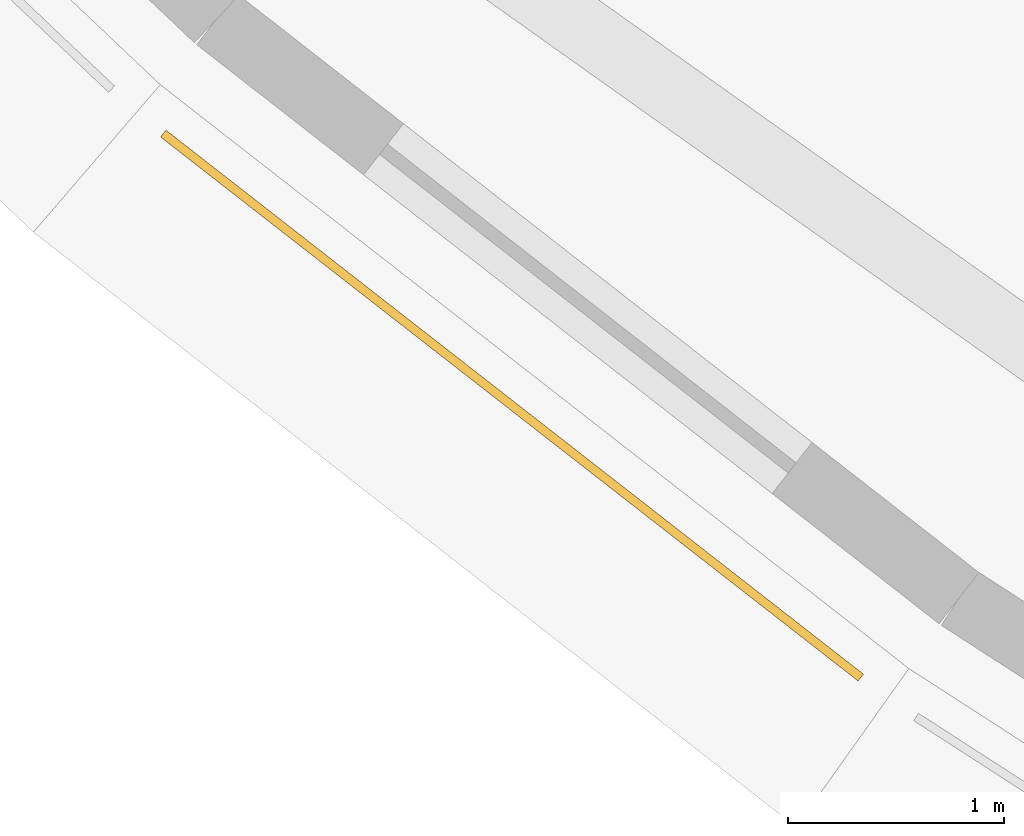
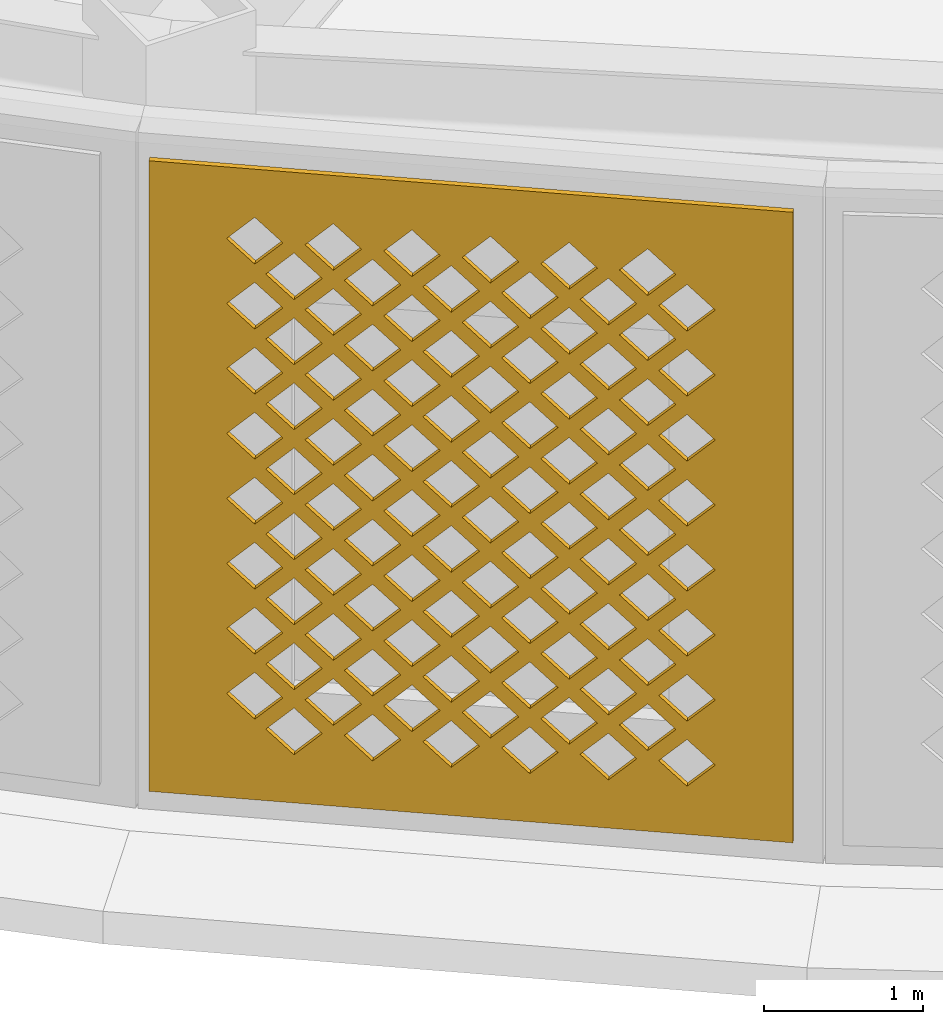
# One storey, part 36 of 63: 1 covering.
"""IFC4 building model written with IfcOpenShell, lengths in metres."""

from ifc_helpers import new_model, si_unit, direction, frame, origin, place, context, subcontext, project, spatial, polyline, outline, extrude, material, layer, layer_set, type_object, element, save


model = new_model("IFC4")

# Units and contexts
model_context = context("Model", 3, precision=1e-05, world=origin(), true_north=direction((0.0, 1.0)))
body_context = subcontext(model_context, "Body", "Model", "MODEL_VIEW")
ifc_project = project(units=[si_unit("LENGTHUNIT", "METRE"), si_unit("AREAUNIT", "SQUARE_METRE"), si_unit("VOLUMEUNIT", "CUBIC_METRE"), si_unit("PLANEANGLEUNIT", "RADIAN"), si_unit("MASSUNIT", "GRAM", prefix="KILO")], contexts=[model_context])

# Site, building, storey
site_placement = place(None, origin())
site = spatial("IfcSite", under=ifc_project, at=site_placement, CompositionType="ELEMENT")
building_placement = place(site_placement, origin())
building = spatial("IfcBuilding", under=site, at=building_placement, Name="Noorbagh Ring Tower", CompositionType="ELEMENT")
storey_placement = place(building_placement, frame((0.0, 0.0, 25.0)))
storey = spatial("IfcBuildingStorey", under=building, at=storey_placement, Name="L04", CompositionType="ELEMENT", Elevation=25.0)

# Covering
ifc_material = material(Name="Red sandstone jali", Category="masonry")
ifc_layer = layer(ifc_material, 0.0400390625)
ifc_layer_set = layer_set([ifc_layer], Name="Red sandstone jali")
covering_type = type_object("IfcCoveringType", Name="STY-JALI", PredefinedType="USERDEFINED", material=ifc_layer_set)
covering_placement = place(storey_placement, frame((-38.712890625, -26.94677734375, 0.449951171875), z_axis=(-0.614979917433, -0.788542770656, 0.0), x_axis=(0.788542770656, -0.614979917433, 0.0)))
element("IfcCovering", 1, at=covering_placement, inside=storey, type_object=covering_type, Name="Jali screen", ObjectType="SCREEN", PredefinedType="USERDEFINED", context=body_context, shape_type="SweptSolid", body=[
    extrude(outline(polyline([(0.0, 0.0), (4.09619140625, 0.0), (4.09619140625, 4.85009765625), (0.0, 4.85009765625), (0.0, 0.0)]), holes=[polyline([(0.7431640625, 0.550048828125), (0.923095703125, 0.3701171875), (1.10302734375, 0.550048828125), (0.923095703125, 0.72998046875), (0.7431640625, 0.550048828125)]), polyline([(1.2431640625, 0.550048828125), (1.423095703125, 0.3701171875), (1.60302734375, 0.550048828125), (1.423095703125, 0.72998046875), (1.2431640625, 0.550048828125)]), polyline([(1.7431640625, 0.550048828125), (1.923095703125, 0.3701171875), (2.10302734375, 0.550048828125), (1.923095703125, 0.72998046875), (1.7431640625, 0.550048828125)]), polyline([(2.2431640625, 0.550048828125), (2.423095703125, 0.3701171875), (2.60302734375, 0.550048828125), (2.423095703125, 0.72998046875), (2.2431640625, 0.550048828125)]), polyline([(2.7431640625, 0.550048828125), (2.923095703125, 0.3701171875), (3.10302734375, 0.550048828125), (2.923095703125, 0.72998046875), (2.7431640625, 0.550048828125)]), polyline([(3.2431640625, 0.550048828125), (3.423095703125, 0.3701171875), (3.60302734375, 0.550048828125), (3.423095703125, 0.72998046875), (3.2431640625, 0.550048828125)]), polyline([(0.4931640625, 0.800048828125), (0.673095703125, 0.6201171875), (0.85302734375, 0.800048828125), (0.673095703125, 0.97998046875), (0.4931640625, 0.800048828125)]), polyline([(0.9931640625, 0.800048828125), (1.173095703125, 0.6201171875), (1.35302734375, 0.800048828125), (1.173095703125, 0.97998046875), (0.9931640625, 0.800048828125)]), polyline([(1.4931640625, 0.800048828125), (1.673095703125, 0.6201171875), (1.85302734375, 0.800048828125), (1.673095703125, 0.97998046875), (1.4931640625, 0.800048828125)]), polyline([(1.9931640625, 0.800048828125), (2.173095703125, 0.6201171875), (2.35302734375, 0.800048828125), (2.173095703125, 0.97998046875), (1.9931640625, 0.800048828125)]), polyline([(2.4931640625, 0.800048828125), (2.673095703125, 0.6201171875), (2.85302734375, 0.800048828125), (2.673095703125, 0.97998046875), (2.4931640625, 0.800048828125)]), polyline([(2.9931640625, 0.800048828125), (3.173095703125, 0.6201171875), (3.35302734375, 0.800048828125), (3.173095703125, 0.97998046875), (2.9931640625, 0.800048828125)]), polyline([(0.7431640625, 1.050048828125), (0.923095703125, 0.8701171875), (1.10302734375, 1.050048828125), (0.923095703125, 1.22998046875), (0.7431640625, 1.050048828125)]), polyline([(1.2431640625, 1.050048828125), (1.423095703125, 0.8701171875), (1.60302734375, 1.050048828125), (1.423095703125, 1.22998046875), (1.2431640625, 1.050048828125)]), polyline([(1.7431640625, 1.050048828125), (1.923095703125, 0.8701171875), (2.10302734375, 1.050048828125), (1.923095703125, 1.22998046875), (1.7431640625, 1.050048828125)]), polyline([(2.2431640625, 1.050048828125), (2.423095703125, 0.8701171875), (2.60302734375, 1.050048828125), (2.423095703125, 1.22998046875), (2.2431640625, 1.050048828125)]), polyline([(2.7431640625, 1.050048828125), (2.923095703125, 0.8701171875), (3.10302734375, 1.050048828125), (2.923095703125, 1.22998046875), (2.7431640625, 1.050048828125)]), polyline([(3.2431640625, 1.050048828125), (3.423095703125, 0.8701171875), (3.60302734375, 1.050048828125), (3.423095703125, 1.22998046875), (3.2431640625, 1.050048828125)]), polyline([(0.4931640625, 1.300048828125), (0.673095703125, 1.1201171875), (0.85302734375, 1.300048828125), (0.673095703125, 1.47998046875), (0.4931640625, 1.300048828125)]), polyline([(0.9931640625, 1.300048828125), (1.173095703125, 1.1201171875), (1.35302734375, 1.300048828125), (1.173095703125, 1.47998046875), (0.9931640625, 1.300048828125)]), polyline([(1.4931640625, 1.300048828125), (1.673095703125, 1.1201171875), (1.85302734375, 1.300048828125), (1.673095703125, 1.47998046875), (1.4931640625, 1.300048828125)]), polyline([(1.9931640625, 1.300048828125), (2.173095703125, 1.1201171875), (2.35302734375, 1.300048828125), (2.173095703125, 1.47998046875), (1.9931640625, 1.300048828125)]), polyline([(2.4931640625, 1.300048828125), (2.673095703125, 1.1201171875), (2.85302734375, 1.300048828125), (2.673095703125, 1.47998046875), (2.4931640625, 1.300048828125)]), polyline([(2.9931640625, 1.300048828125), (3.173095703125, 1.1201171875), (3.35302734375, 1.300048828125), (3.173095703125, 1.47998046875), (2.9931640625, 1.300048828125)]), polyline([(0.7431640625, 1.550048828125), (0.923095703125, 1.3701171875), (1.10302734375, 1.550048828125), (0.923095703125, 1.72998046875), (0.7431640625, 1.550048828125)]), polyline([(1.2431640625, 1.550048828125), (1.423095703125, 1.3701171875), (1.60302734375, 1.550048828125), (1.423095703125, 1.72998046875), (1.2431640625, 1.550048828125)]), polyline([(1.7431640625, 1.550048828125), (1.923095703125, 1.3701171875), (2.10302734375, 1.550048828125), (1.923095703125, 1.72998046875), (1.7431640625, 1.550048828125)]), polyline([(2.2431640625, 1.550048828125), (2.423095703125, 1.3701171875), (2.60302734375, 1.550048828125), (2.423095703125, 1.72998046875), (2.2431640625, 1.550048828125)]), polyline([(2.7431640625, 1.550048828125), (2.923095703125, 1.3701171875), (3.10302734375, 1.550048828125), (2.923095703125, 1.72998046875), (2.7431640625, 1.550048828125)]), polyline([(3.2431640625, 1.550048828125), (3.423095703125, 1.3701171875), (3.60302734375, 1.550048828125), (3.423095703125, 1.72998046875), (3.2431640625, 1.550048828125)]), polyline([(0.4931640625, 1.800048828125), (0.673095703125, 1.6201171875), (0.85302734375, 1.800048828125), (0.673095703125, 1.97998046875), (0.4931640625, 1.800048828125)]), polyline([(0.9931640625, 1.800048828125), (1.173095703125, 1.6201171875), (1.35302734375, 1.800048828125), (1.173095703125, 1.97998046875), (0.9931640625, 1.800048828125)]), polyline([(1.4931640625, 1.800048828125), (1.673095703125, 1.6201171875), (1.85302734375, 1.800048828125), (1.673095703125, 1.97998046875), (1.4931640625, 1.800048828125)]), polyline([(1.9931640625, 1.800048828125), (2.173095703125, 1.6201171875), (2.35302734375, 1.800048828125), (2.173095703125, 1.97998046875), (1.9931640625, 1.800048828125)]), polyline([(2.4931640625, 1.800048828125), (2.673095703125, 1.6201171875), (2.85302734375, 1.800048828125), (2.673095703125, 1.97998046875), (2.4931640625, 1.800048828125)]), polyline([(2.9931640625, 1.800048828125), (3.173095703125, 1.6201171875), (3.35302734375, 1.800048828125), (3.173095703125, 1.97998046875), (2.9931640625, 1.800048828125)]), polyline([(0.7431640625, 2.050048828125), (0.923095703125, 1.8701171875), (1.10302734375, 2.050048828125), (0.923095703125, 2.22998046875), (0.7431640625, 2.050048828125)]), polyline([(1.2431640625, 2.050048828125), (1.423095703125, 1.8701171875), (1.60302734375, 2.050048828125), (1.423095703125, 2.22998046875), (1.2431640625, 2.050048828125)]), polyline([(1.7431640625, 2.050048828125), (1.923095703125, 1.8701171875), (2.10302734375, 2.050048828125), (1.923095703125, 2.22998046875), (1.7431640625, 2.050048828125)]), polyline([(2.2431640625, 2.050048828125), (2.423095703125, 1.8701171875), (2.60302734375, 2.050048828125), (2.423095703125, 2.22998046875), (2.2431640625, 2.050048828125)]), polyline([(2.7431640625, 2.050048828125), (2.923095703125, 1.8701171875), (3.10302734375, 2.050048828125), (2.923095703125, 2.22998046875), (2.7431640625, 2.050048828125)]), polyline([(3.2431640625, 2.050048828125), (3.423095703125, 1.8701171875), (3.60302734375, 2.050048828125), (3.423095703125, 2.22998046875), (3.2431640625, 2.050048828125)]), polyline([(0.4931640625, 2.300048828125), (0.673095703125, 2.1201171875), (0.85302734375, 2.300048828125), (0.673095703125, 2.47998046875), (0.4931640625, 2.300048828125)]), polyline([(0.9931640625, 2.300048828125), (1.173095703125, 2.1201171875), (1.35302734375, 2.300048828125), (1.173095703125, 2.47998046875), (0.9931640625, 2.300048828125)]), polyline([(1.4931640625, 2.300048828125), (1.673095703125, 2.1201171875), (1.85302734375, 2.300048828125), (1.673095703125, 2.47998046875), (1.4931640625, 2.300048828125)]), polyline([(1.9931640625, 2.300048828125), (2.173095703125, 2.1201171875), (2.35302734375, 2.300048828125), (2.173095703125, 2.47998046875), (1.9931640625, 2.300048828125)]), polyline([(2.4931640625, 2.300048828125), (2.673095703125, 2.1201171875), (2.85302734375, 2.300048828125), (2.673095703125, 2.47998046875), (2.4931640625, 2.300048828125)]), polyline([(2.9931640625, 2.300048828125), (3.173095703125, 2.1201171875), (3.35302734375, 2.300048828125), (3.173095703125, 2.47998046875), (2.9931640625, 2.300048828125)]), polyline([(0.7431640625, 2.550048828125), (0.923095703125, 2.3701171875), (1.10302734375, 2.550048828125), (0.923095703125, 2.72998046875), (0.7431640625, 2.550048828125)]), polyline([(1.2431640625, 2.550048828125), (1.423095703125, 2.3701171875), (1.60302734375, 2.550048828125), (1.423095703125, 2.72998046875), (1.2431640625, 2.550048828125)]), polyline([(1.7431640625, 2.550048828125), (1.923095703125, 2.3701171875), (2.10302734375, 2.550048828125), (1.923095703125, 2.72998046875), (1.7431640625, 2.550048828125)]), polyline([(2.2431640625, 2.550048828125), (2.423095703125, 2.3701171875), (2.60302734375, 2.550048828125), (2.423095703125, 2.72998046875), (2.2431640625, 2.550048828125)]), polyline([(2.7431640625, 2.550048828125), (2.923095703125, 2.3701171875), (3.10302734375, 2.550048828125), (2.923095703125, 2.72998046875), (2.7431640625, 2.550048828125)]), polyline([(3.2431640625, 2.550048828125), (3.423095703125, 2.3701171875), (3.60302734375, 2.550048828125), (3.423095703125, 2.72998046875), (3.2431640625, 2.550048828125)]), polyline([(0.4931640625, 2.800048828125), (0.673095703125, 2.6201171875), (0.85302734375, 2.800048828125), (0.673095703125, 2.97998046875), (0.4931640625, 2.800048828125)]), polyline([(0.9931640625, 2.800048828125), (1.173095703125, 2.6201171875), (1.35302734375, 2.800048828125), (1.173095703125, 2.97998046875), (0.9931640625, 2.800048828125)]), polyline([(1.4931640625, 2.800048828125), (1.673095703125, 2.6201171875), (1.85302734375, 2.800048828125), (1.673095703125, 2.97998046875), (1.4931640625, 2.800048828125)]), polyline([(1.9931640625, 2.800048828125), (2.173095703125, 2.6201171875), (2.35302734375, 2.800048828125), (2.173095703125, 2.97998046875), (1.9931640625, 2.800048828125)]), polyline([(2.4931640625, 2.800048828125), (2.673095703125, 2.6201171875), (2.85302734375, 2.800048828125), (2.673095703125, 2.97998046875), (2.4931640625, 2.800048828125)]), polyline([(2.9931640625, 2.800048828125), (3.173095703125, 2.6201171875), (3.35302734375, 2.800048828125), (3.173095703125, 2.97998046875), (2.9931640625, 2.800048828125)]), polyline([(0.7431640625, 3.050048828125), (0.923095703125, 2.8701171875), (1.10302734375, 3.050048828125), (0.923095703125, 3.22998046875), (0.7431640625, 3.050048828125)]), polyline([(1.2431640625, 3.050048828125), (1.423095703125, 2.8701171875), (1.60302734375, 3.050048828125), (1.423095703125, 3.22998046875), (1.2431640625, 3.050048828125)]), polyline([(1.7431640625, 3.050048828125), (1.923095703125, 2.8701171875), (2.10302734375, 3.050048828125), (1.923095703125, 3.22998046875), (1.7431640625, 3.050048828125)]), polyline([(2.2431640625, 3.050048828125), (2.423095703125, 2.8701171875), (2.60302734375, 3.050048828125), (2.423095703125, 3.22998046875), (2.2431640625, 3.050048828125)]), polyline([(2.7431640625, 3.050048828125), (2.923095703125, 2.8701171875), (3.10302734375, 3.050048828125), (2.923095703125, 3.22998046875), (2.7431640625, 3.050048828125)]), polyline([(3.2431640625, 3.050048828125), (3.423095703125, 2.8701171875), (3.60302734375, 3.050048828125), (3.423095703125, 3.22998046875), (3.2431640625, 3.050048828125)]), polyline([(0.4931640625, 3.300048828125), (0.673095703125, 3.1201171875), (0.85302734375, 3.300048828125), (0.673095703125, 3.47998046875), (0.4931640625, 3.300048828125)]), polyline([(0.9931640625, 3.300048828125), (1.173095703125, 3.1201171875), (1.35302734375, 3.300048828125), (1.173095703125, 3.47998046875), (0.9931640625, 3.300048828125)]), polyline([(1.4931640625, 3.300048828125), (1.673095703125, 3.1201171875), (1.85302734375, 3.300048828125), (1.673095703125, 3.47998046875), (1.4931640625, 3.300048828125)]), polyline([(1.9931640625, 3.300048828125), (2.173095703125, 3.1201171875), (2.35302734375, 3.300048828125), (2.173095703125, 3.47998046875), (1.9931640625, 3.300048828125)]), polyline([(2.4931640625, 3.300048828125), (2.673095703125, 3.1201171875), (2.85302734375, 3.300048828125), (2.673095703125, 3.47998046875), (2.4931640625, 3.300048828125)]), polyline([(2.9931640625, 3.300048828125), (3.173095703125, 3.1201171875), (3.35302734375, 3.300048828125), (3.173095703125, 3.47998046875), (2.9931640625, 3.300048828125)]), polyline([(0.7431640625, 3.550048828125), (0.923095703125, 3.3701171875), (1.10302734375, 3.550048828125), (0.923095703125, 3.72998046875), (0.7431640625, 3.550048828125)]), polyline([(1.2431640625, 3.550048828125), (1.423095703125, 3.3701171875), (1.60302734375, 3.550048828125), (1.423095703125, 3.72998046875), (1.2431640625, 3.550048828125)]), polyline([(1.7431640625, 3.550048828125), (1.923095703125, 3.3701171875), (2.10302734375, 3.550048828125), (1.923095703125, 3.72998046875), (1.7431640625, 3.550048828125)]), polyline([(2.2431640625, 3.550048828125), (2.423095703125, 3.3701171875), (2.60302734375, 3.550048828125), (2.423095703125, 3.72998046875), (2.2431640625, 3.550048828125)]), polyline([(2.7431640625, 3.550048828125), (2.923095703125, 3.3701171875), (3.10302734375, 3.550048828125), (2.923095703125, 3.72998046875), (2.7431640625, 3.550048828125)]), polyline([(3.2431640625, 3.550048828125), (3.423095703125, 3.3701171875), (3.60302734375, 3.550048828125), (3.423095703125, 3.72998046875), (3.2431640625, 3.550048828125)]), polyline([(0.4931640625, 3.800048828125), (0.673095703125, 3.6201171875), (0.85302734375, 3.800048828125), (0.673095703125, 3.97998046875), (0.4931640625, 3.800048828125)]), polyline([(0.9931640625, 3.800048828125), (1.173095703125, 3.6201171875), (1.35302734375, 3.800048828125), (1.173095703125, 3.97998046875), (0.9931640625, 3.800048828125)]), polyline([(1.4931640625, 3.800048828125), (1.673095703125, 3.6201171875), (1.85302734375, 3.800048828125), (1.673095703125, 3.97998046875), (1.4931640625, 3.800048828125)]), polyline([(1.9931640625, 3.800048828125), (2.173095703125, 3.6201171875), (2.35302734375, 3.800048828125), (2.173095703125, 3.97998046875), (1.9931640625, 3.800048828125)]), polyline([(2.4931640625, 3.800048828125), (2.673095703125, 3.6201171875), (2.85302734375, 3.800048828125), (2.673095703125, 3.97998046875), (2.4931640625, 3.800048828125)]), polyline([(2.9931640625, 3.800048828125), (3.173095703125, 3.6201171875), (3.35302734375, 3.800048828125), (3.173095703125, 3.97998046875), (2.9931640625, 3.800048828125)]), polyline([(0.7431640625, 4.050048828125), (0.923095703125, 3.8701171875), (1.10302734375, 4.050048828125), (0.923095703125, 4.22998046875), (0.7431640625, 4.050048828125)]), polyline([(1.2431640625, 4.050048828125), (1.423095703125, 3.8701171875), (1.60302734375, 4.050048828125), (1.423095703125, 4.22998046875), (1.2431640625, 4.050048828125)]), polyline([(1.7431640625, 4.050048828125), (1.923095703125, 3.8701171875), (2.10302734375, 4.050048828125), (1.923095703125, 4.22998046875), (1.7431640625, 4.050048828125)]), polyline([(2.2431640625, 4.050048828125), (2.423095703125, 3.8701171875), (2.60302734375, 4.050048828125), (2.423095703125, 4.22998046875), (2.2431640625, 4.050048828125)]), polyline([(2.7431640625, 4.050048828125), (2.923095703125, 3.8701171875), (3.10302734375, 4.050048828125), (2.923095703125, 4.22998046875), (2.7431640625, 4.050048828125)]), polyline([(3.2431640625, 4.050048828125), (3.423095703125, 3.8701171875), (3.60302734375, 4.050048828125), (3.423095703125, 4.22998046875), (3.2431640625, 4.050048828125)]), polyline([(0.4931640625, 4.300048828125), (0.673095703125, 4.1201171875), (0.85302734375, 4.300048828125), (0.673095703125, 4.47998046875), (0.4931640625, 4.300048828125)]), polyline([(0.9931640625, 4.300048828125), (1.173095703125, 4.1201171875), (1.35302734375, 4.300048828125), (1.173095703125, 4.47998046875), (0.9931640625, 4.300048828125)]), polyline([(1.4931640625, 4.300048828125), (1.673095703125, 4.1201171875), (1.85302734375, 4.300048828125), (1.673095703125, 4.47998046875), (1.4931640625, 4.300048828125)]), polyline([(1.9931640625, 4.300048828125), (2.173095703125, 4.1201171875), (2.35302734375, 4.300048828125), (2.173095703125, 4.47998046875), (1.9931640625, 4.300048828125)]), polyline([(2.4931640625, 4.300048828125), (2.673095703125, 4.1201171875), (2.85302734375, 4.300048828125), (2.673095703125, 4.47998046875), (2.4931640625, 4.300048828125)]), polyline([(2.9931640625, 4.300048828125), (3.173095703125, 4.1201171875), (3.35302734375, 4.300048828125), (3.173095703125, 4.47998046875), (2.9931640625, 4.300048828125)])]), origin(), (0.0, 0.0, -1.0), 0.0400390625),
])

save(model, "model.ifc")
